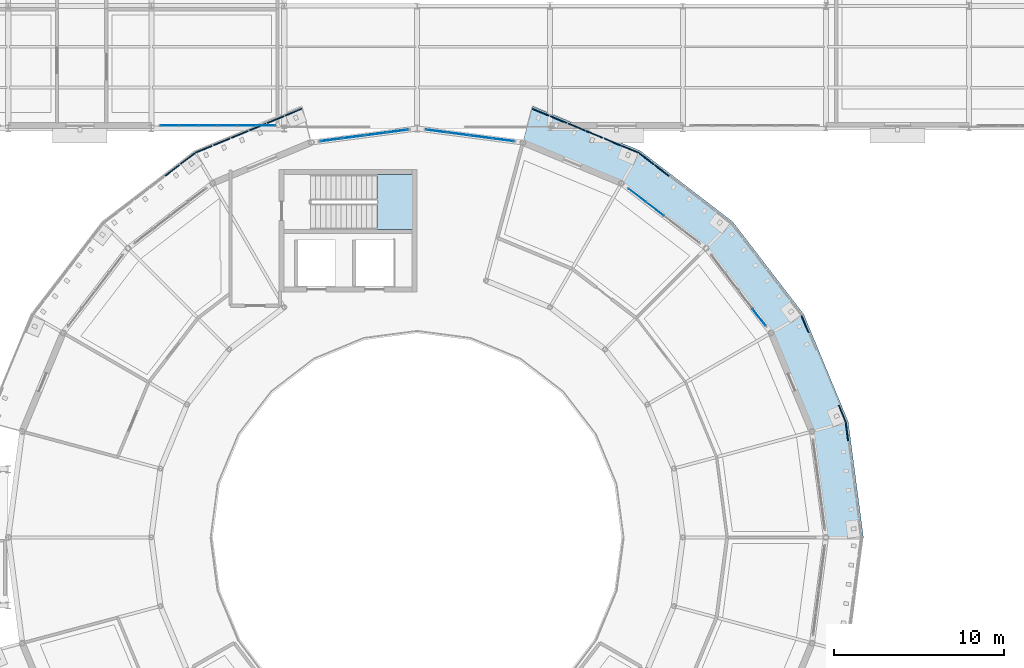
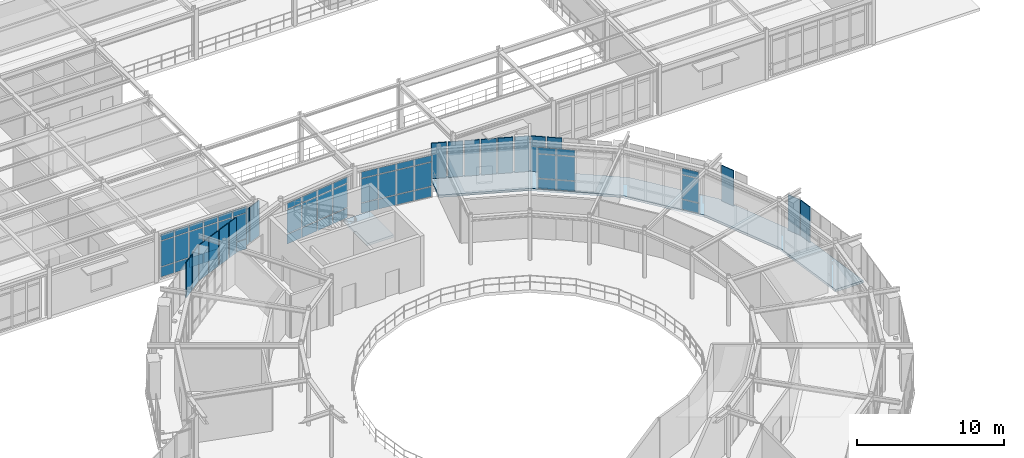
# One storey, part 64 of 90: 70 plates, 2 slabs, 6 elements without a shape of their own.
"""IFC4 building model written with IfcOpenShell, lengths in metres."""

import ifcopenshell
import ifcopenshell.guid

model = None  # the IFC model being written
_history = None  # IfcOwnerHistory: only IFC2X3 demands one
_inside = {}  # id of a spatial element -> (the spatial element, [elements in it])
_under = {}  # id of a project, library or spatial element -> (it, [spatial elements below it])
_declared = {}  # id of a project -> (the project, [libraries it declares])
_typed = {}  # id of a type object -> (the type object, [elements of that type])
_made_of = {}  # id of a material, layer set ... -> (it, [elements and type objects made of it])


def new_model(schema):
    """Start an empty IFC model of exactly this schema.

    Asked for "IFC4X3", IfcOpenShell would pick the latest addendum, in which some entities
    have other attributes; the version numbers below select the first issue.
    IFC2X3 requires an IfcOwnerHistory on every rooted entity: one is made here for all.
    """
    global model, _history
    if schema == "IFC4X3":
        model = ifcopenshell.file(schema_version=(4, 3, 0, 0))
    else:
        model = ifcopenshell.file(schema=schema)
    _inside.clear()
    _under.clear()
    _declared.clear()
    _typed.clear()
    _made_of.clear()
    _history = None
    if model.schema == "IFC2X3":
        org = make("IfcOrganization", Name="unknown")
        user = make(
            "IfcPersonAndOrganization",
            ThePerson=make("IfcPerson", FamilyName="unknown"),
            TheOrganization=org,
        )
        app = make(
            "IfcApplication",
            ApplicationDeveloper=org,
            Version="unknown",
            ApplicationFullName="unknown",
            ApplicationIdentifier="unknown",
        )
        _history = make(
            "IfcOwnerHistory",
            OwningUser=user,
            OwningApplication=app,
            ChangeAction="ADDED",
            CreationDate=0,
        )
    return model


def make(cls, **values):
    """One entity of the class cls with the attributes given. An attribute that is None is left unset."""
    return model.create_entity(
        cls, **{name: value for name, value in values.items() if value is not None}
    )


def rooted(cls, **values):
    """An entity with a GlobalId (a new one), such as an element, a storey or a relation."""
    return make(cls, GlobalId=ifcopenshell.guid.new(), OwnerHistory=_history, **values)


def si_unit(unit_type, name, prefix=None):
    """IfcSIUnit, for example si_unit("LENGTHUNIT", "METRE", prefix="MILLI")."""
    return make("IfcSIUnit", UnitType=unit_type, Prefix=prefix, Name=name)


def derived_unit(unit_type, elements):
    """IfcDerivedUnit: a product of units, each with its exponent."""
    return make(
        "IfcDerivedUnit",
        Elements=[
            make("IfcDerivedUnitElement", Unit=unit, Exponent=power)
            for unit, power in elements
        ],
        UnitType=unit_type,
    )


def assignment(units):
    """IfcUnitAssignment: the units of a project."""
    return None if units is None else make("IfcUnitAssignment", Units=units)


def point(xyz):
    """IfcCartesianPoint."""
    return None if xyz is None else make("IfcCartesianPoint", Coordinates=xyz)


def direction(xyz):
    """IfcDirection."""
    return None if xyz is None else make("IfcDirection", DirectionRatios=xyz)


def frame(location, z_axis=None, x_axis=None):
    """IfcAxis2Placement3D, a coordinate frame: its origin and axes. An axis left out is left unset."""
    return make(
        "IfcAxis2Placement3D",
        Location=point(location),
        Axis=direction(z_axis),
        RefDirection=direction(x_axis),
    )


def frame_2d(location, x_axis=None):
    """IfcAxis2Placement2D, a coordinate frame in the plane: its origin and x axis."""
    return make(
        "IfcAxis2Placement2D", Location=point(location), RefDirection=direction(x_axis)
    )


def origin():
    """The frame at (0, 0, 0) with its axes left unset."""
    return frame((0.0, 0.0, 0.0))


def origin_2d():
    """The frame at (0, 0) in the plane with its x axis left unset."""
    return frame_2d((0.0, 0.0))


def place(relative_to, where):
    """IfcLocalPlacement: puts the frame where relative to a parent placement (None: the world)."""
    return make(
        "IfcLocalPlacement", PlacementRelTo=relative_to, RelativePlacement=where
    )


def context(
    kind, dimensions, precision=None, world=None, true_north=None, identifier=None
):
    """IfcGeometricRepresentationContext, for example the 3D "Model" context."""
    return make(
        "IfcGeometricRepresentationContext",
        ContextIdentifier=identifier,
        ContextType=kind,
        CoordinateSpaceDimension=dimensions,
        Precision=precision,
        WorldCoordinateSystem=world,
        TrueNorth=true_north,
    )


def subcontext(parent, identifier, kind, view, scale=None):
    """IfcGeometricRepresentationSubContext, for example "Body" below "Model"."""
    return make(
        "IfcGeometricRepresentationSubContext",
        ContextIdentifier=identifier,
        ContextType=kind,
        ParentContext=parent,
        TargetScale=scale,
        TargetView=view,
    )


def project(units=None, contexts=None):
    """IfcProject with its units and contexts."""
    return rooted(
        "IfcProject",
        Name="project",
        RepresentationContexts=contexts,
        UnitsInContext=assignment(units),
    )


def spatial(cls, under=None, at=None, **own):
    """A site, building, storey or space (cls), placed at a placement, below another one or the project."""
    s = rooted(cls, ObjectPlacement=at, **own)
    if under is not None:
        _under.setdefault(under.id(), (under, []))[1].append(s)
    return s


def polyline(points):
    """IfcPolyline through the points."""
    return make("IfcPolyline", Points=[point(p) for p in points])


def profile(cls, at=None, kind="AREA", **sizes):
    """A parametric profile (cls). Its sizes go by their IFC names, for example OverallWidth=200.0."""
    return make(cls, ProfileType=kind, Position=at, **sizes)


def rectangle(**sizes):
    """IfcRectangleProfileDef."""
    return profile("IfcRectangleProfileDef", **sizes)


def outline(outer, holes=None, kind="AREA"):
    """IfcArbitraryClosedProfileDef: a profile drawn as a closed curve; with holes, ...WithVoids."""
    if holes is None:
        return make("IfcArbitraryClosedProfileDef", ProfileType=kind, OuterCurve=outer)
    return make(
        "IfcArbitraryProfileDefWithVoids",
        ProfileType=kind,
        OuterCurve=outer,
        InnerCurves=holes,
    )


def extrude(swept, where, along, depth):
    """IfcExtrudedAreaSolid: the profile swept, set in the frame where, extruded along a direction by depth."""
    return make(
        "IfcExtrudedAreaSolid",
        SweptArea=swept,
        Position=where,
        ExtrudedDirection=direction(along),
        Depth=depth,
    )


def shape(context_of_items, identifier, shape_type, items):
    """IfcShapeRepresentation: the items that make up one representation, for example the "Body"."""
    return make(
        "IfcShapeRepresentation",
        ContextOfItems=context_of_items,
        RepresentationIdentifier=identifier,
        RepresentationType=shape_type,
        Items=items,
    )


def material(Name=None, Category=None):
    """IfcMaterial."""
    return make("IfcMaterial", Name=Name, Category=Category)


def layer(
    of_material, thickness, ventilated=None, Name=None, Category=None, Priority=None
):
    """IfcMaterialLayer: one layer of a wall or slab, of a material (None: an air gap)."""
    return make(
        "IfcMaterialLayer",
        Material=of_material,
        LayerThickness=thickness,
        IsVentilated=ventilated,
        Name=Name,
        Category=Category,
        Priority=Priority,
    )


def layer_set(layers, Name=None):
    """IfcMaterialLayerSet."""
    return make("IfcMaterialLayerSet", MaterialLayers=layers, LayerSetName=Name)


def made_of(thing, what):
    """Note that an element or type object is made of a material, layer set ...; save() writes the relation."""
    if what is not None:
        _made_of.setdefault(what.id(), (what, []))[1].append(thing)
    return thing


def type_object(cls, material=None, **own):
    """A type object (cls), such as IfcWallType, which elements share."""
    return made_of(rooted(cls, **own), material)


def element(
    cls,
    number,
    at=None,
    inside=None,
    cuts=None,
    type_object=None,
    material=None,
    context=None,
    identifier="Body",
    shape_type=None,
    held_by="IfcProductDefinitionShape",
    body=None,
    shapes=None,
    **own,
):
    """One element of the class cls, such as IfcWall. Its Tag is "e" and its number.

    at: its placement. inside: the storey or other place that contains it. cuts: it is an
    opening in that element (IfcRelVoidsElement). A single representation is given by context,
    identifier, shape_type and body (its items); several are given by shapes. held_by: the class
    of the entity that holds the representations. save() writes the other relations.
    """
    e = rooted(cls, Tag="e%d" % number, ObjectPlacement=at, **own)
    if body is not None:
        shapes = [shape(context, identifier, shape_type, body)]
    if shapes is not None:
        e.Representation = make(held_by, Representations=shapes)
    if inside is not None:
        _inside.setdefault(inside.id(), (inside, []))[1].append(e)
    if cuts is not None:
        rooted(
            "IfcRelVoidsElement", RelatingBuildingElement=cuts, RelatedOpeningElement=e
        )
    if type_object is not None:
        _typed.setdefault(type_object.id(), (type_object, []))[1].append(e)
    return made_of(e, material)


def aggregate(whole, parts):
    """IfcRelAggregates: a whole, such as a stair, and the parts it consists of."""
    return rooted("IfcRelAggregates", RelatingObject=whole, RelatedObjects=parts)


def save(model, path):
    """Write the relations noted so far, then the file.

    IfcRelAggregates (storeys below a building ...), IfcRelContainedInSpatialStructure (elements
    in a storey), IfcRelDefinesByType, IfcRelAssociatesMaterial and IfcRelDeclares: one each for
    every whole, place, type object, material and project.
    """
    for whole, parts in _under.values():
        aggregate(whole, parts)
    for where, things in _inside.values():
        rooted(
            "IfcRelContainedInSpatialStructure",
            RelatedElements=things,
            RelatingStructure=where,
        )
    for kind, things in _typed.values():
        rooted("IfcRelDefinesByType", RelatedObjects=things, RelatingType=kind)
    for what, things in _made_of.values():
        rooted("IfcRelAssociatesMaterial", RelatedObjects=things, RelatingMaterial=what)
    for by, libraries in _declared.values():
        rooted("IfcRelDeclares", RelatingContext=by, RelatedDefinitions=libraries)
    model.write(path)


model = new_model("IFC4")

# Units and contexts
model_context = context("Model", 3, precision=1e-05, world=origin(), true_north=direction((0.0, 1.0)))
body_context = subcontext(model_context, "Body", "Model", "MODEL_VIEW")
ifc_project = project(units=[si_unit("LENGTHUNIT", "METRE"), si_unit("AREAUNIT", "SQUARE_METRE"), si_unit("VOLUMEUNIT", "CUBIC_METRE"), si_unit("PLANEANGLEUNIT", "RADIAN"), si_unit("MASSUNIT", "GRAM", prefix="KILO"), derived_unit("THERMALTRANSMITTANCEUNIT", [(si_unit("POWERUNIT", "WATT"), 1), (si_unit("AREAUNIT", "SQUARE_METRE"), -1), (si_unit("THERMODYNAMICTEMPERATUREUNIT", "KELVIN"), -1)])], contexts=[model_context])

# Site, building, storey
site_placement = place(None, origin())
site = spatial("IfcSite", under=ifc_project, at=site_placement, CompositionType="ELEMENT")
building_placement = place(site_placement, origin())
building = spatial("IfcBuilding", under=site, at=building_placement, Name="Yasenodar Specialist Clinic", CompositionType="ELEMENT")
storey_placement = place(building_placement, frame((0.0, 0.0, 9.0)))
storey = spatial("IfcBuildingStorey", under=building, at=storey_placement, Name="L02", CompositionType="ELEMENT", Elevation=9.0)

# Curtain wall, plates
ifc_material_1 = material(Name="Bronze Anodized Aluminium and Triple Low-E Glass", Category="aluminium")
ifc_layer_1 = layer(ifc_material_1, 0.1669921875)
ifc_layer_set_1 = layer_set([ifc_layer_1], Name="Bronze Anodized Aluminium and Triple Low-E Glass")
curtain_wall_type_1 = type_object("IfcCurtainWallType", Name="CW-SYS-01", PredefinedType="USERDEFINED", material=ifc_layer_set_1)
curtain_wall_1_placement = place(storey_placement, origin())
curtain_wall_1 = element("IfcCurtainWall", 1, at=curtain_wall_1_placement, inside=storey, type_object=curtain_wall_type_1, Name="L02 Unitised Curtain Wall 028", ObjectType="UNITISED CURTAIN WALL", PredefinedType="USERDEFINED")
ifc_material_2 = material(Name="Triple Low-E Argon Glazing", Category="glass")
ifc_layer_2 = layer(ifc_material_2, 0.028076171875)
ifc_layer_set_2 = layer_set([ifc_layer_2], Name="Triple Low-E Argon Glazing")
plate_type_1 = type_object("IfcPlateType", Name="CW-PAN-1", PredefinedType="CURTAIN_PANEL", material=ifc_layer_set_2)
plate_1_placement = place(storey_placement, frame((93.9189453125, 78.879638671875, 0.06005859375), z_axis=(0.0, 0.0, 1.0), x_axis=(0.793360558574, -0.608752021844, 0.0)))
plate_1 = element("IfcPlate", 2, at=plate_1_placement, type_object=plate_type_1, Name="CW-01 panel 1.1", PredefinedType="CURTAIN_PANEL", context=body_context, shape_type="SweptSolid", body=[
    extrude(rectangle(XDim=1.236328125, YDim=0.028076171875, at=origin_2d()), origin(), (0.0, 0.0, 1.0), 0.81005859375),
])
plate_2_placement = place(storey_placement, frame((93.9189453125, 78.879638671875, 0.929931640625), z_axis=(0.0, 0.0, 1.0), x_axis=(0.793360558574, -0.608752021844, 0.0)))
plate_2 = element("IfcPlate", 3, at=plate_2_placement, type_object=plate_type_1, Name="CW-01 panel 1.2", PredefinedType="CURTAIN_PANEL", context=body_context, shape_type="SweptSolid", body=[
    extrude(rectangle(XDim=1.236328125, YDim=0.028076171875, at=origin_2d()), origin(), (0.0, 0.0, 1.0), 1.97802734375),
])
plate_3_placement = place(storey_placement, frame((93.9189453125, 78.879638671875, 2.9677734375), z_axis=(0.0, 0.0, 1.0), x_axis=(0.793360558574, -0.608752021844, 0.0)))
plate_3 = element("IfcPlate", 4, at=plate_3_placement, type_object=plate_type_1, Name="CW-01 panel 1.3", PredefinedType="CURTAIN_PANEL", context=body_context, shape_type="SweptSolid", body=[
    extrude(rectangle(XDim=1.236328125, YDim=0.028076171875, at=origin_2d()), origin(), (0.0, 0.0, 1.0), 0.510009765625),
])
plate_4_placement = place(storey_placement, frame((94.959228515625, 78.081298828125, 0.06005859375), z_axis=(0.0, 0.0, 1.0), x_axis=(0.793360558574, -0.608752021844, 0.0)))
plate_4 = element("IfcPlate", 5, at=plate_4_placement, type_object=plate_type_1, Name="CW-01 panel 2.1", PredefinedType="CURTAIN_PANEL", context=body_context, shape_type="SweptSolid", body=[
    extrude(rectangle(XDim=1.266357421875, YDim=0.028076171875, at=origin_2d()), origin(), (0.0, 0.0, 1.0), 0.81005859375),
])
plate_5_placement = place(storey_placement, frame((94.959228515625, 78.081298828125, 0.929931640625), z_axis=(0.0, 0.0, 1.0), x_axis=(0.793360558574, -0.608752021844, 0.0)))
plate_5 = element("IfcPlate", 6, at=plate_5_placement, type_object=plate_type_1, Name="CW-01 panel 2.2", PredefinedType="CURTAIN_PANEL", context=body_context, shape_type="SweptSolid", body=[
    extrude(rectangle(XDim=1.266357421875, YDim=0.028076171875, at=origin_2d()), origin(), (0.0, 0.0, 1.0), 1.97802734375),
])
plate_6_placement = place(storey_placement, frame((94.959228515625, 78.081298828125, 2.9677734375), z_axis=(0.0, 0.0, 1.0), x_axis=(0.793360558574, -0.608752021844, 0.0)))
plate_6 = element("IfcPlate", 7, at=plate_6_placement, type_object=plate_type_1, Name="CW-01 panel 2.3", PredefinedType="CURTAIN_PANEL", context=body_context, shape_type="SweptSolid", body=[
    extrude(rectangle(XDim=1.266357421875, YDim=0.028076171875, at=origin_2d()), origin(), (0.0, 0.0, 1.0), 0.510009765625),
])
aggregate(curtain_wall_1, [plate_1, plate_2, plate_3, plate_4, plate_5, plate_6])

ifc_layer_3 = layer(ifc_material_1, 0.215087890625)
ifc_layer_set_3 = layer_set([ifc_layer_3], Name="Bronze Anodized Aluminium and Triple Low-E Glass")
curtain_wall_type_2 = type_object("IfcCurtainWallType", Name="CW-SYS-05", PredefinedType="USERDEFINED", material=ifc_layer_set_3)
curtain_wall_2_placement = place(storey_placement, origin())
curtain_wall_2 = element("IfcCurtainWall", 8, at=curtain_wall_2_placement, inside=storey, type_object=curtain_wall_type_2, Name="L02 Unitised Curtain Wall 156", ObjectType="UNITISED CURTAIN WALL", PredefinedType="USERDEFINED")
plate_7_placement = place(storey_placement, frame((72.135009765625, 82.969970703125, 0.06005859375), z_axis=(0.0, 0.0, 1.0), x_axis=(-1.0, 0.0, 0.0)))
plate_7 = element("IfcPlate", 9, at=plate_7_placement, type_object=plate_type_1, Name="CW-05 panel 1.1", PredefinedType="CURTAIN_PANEL", context=body_context, shape_type="SweptSolid", body=[
    extrude(rectangle(XDim=1.050048828125, YDim=0.028076171875, at=origin_2d()), origin(), (0.0, 0.0, 1.0), 0.81005859375),
])
plate_8_placement = place(storey_placement, frame((72.135009765625, 82.969970703125, 0.93017578125), z_axis=(0.0, 0.0, 1.0), x_axis=(-1.0, 0.0, 0.0)))
plate_8 = element("IfcPlate", 10, at=plate_8_placement, type_object=plate_type_1, Name="CW-05 panel 1.2", PredefinedType="CURTAIN_PANEL", context=body_context, shape_type="SweptSolid", body=[
    extrude(rectangle(XDim=1.050048828125, YDim=0.028076171875, at=origin_2d()), origin(), (0.0, 0.0, 1.0), 2.097900390625),
])
plate_9_placement = place(storey_placement, frame((72.135009765625, 82.969970703125, 3.087890625), z_axis=(0.0, 0.0, 1.0), x_axis=(-1.0, 0.0, 0.0)))
plate_9 = element("IfcPlate", 11, at=plate_9_placement, type_object=plate_type_1, Name="CW-05 panel 1.3", PredefinedType="CURTAIN_PANEL", context=body_context, shape_type="SweptSolid", body=[
    extrude(rectangle(XDim=1.050048828125, YDim=0.028076171875, at=origin_2d()), origin(), (0.0, 0.0, 1.0), 0.510009765625),
])
plate_10_placement = place(storey_placement, frame((71.010009765625, 82.969970703125, 0.06005859375), z_axis=(0.0, 0.0, 1.0), x_axis=(-1.0, 0.0, 0.0)))
plate_10 = element("IfcPlate", 12, at=plate_10_placement, type_object=plate_type_1, Name="CW-05 panel 2.1", PredefinedType="CURTAIN_PANEL", context=body_context, shape_type="SweptSolid", body=[
    extrude(rectangle(XDim=1.080078125, YDim=0.028076171875, at=origin_2d()), origin(), (0.0, 0.0, 1.0), 0.81005859375),
])
plate_11_placement = place(storey_placement, frame((71.010009765625, 82.969970703125, 0.93017578125), z_axis=(0.0, 0.0, 1.0), x_axis=(-1.0, 0.0, 0.0)))
plate_11 = element("IfcPlate", 13, at=plate_11_placement, type_object=plate_type_1, Name="CW-05 panel 2.2", PredefinedType="CURTAIN_PANEL", context=body_context, shape_type="SweptSolid", body=[
    extrude(rectangle(XDim=1.080078125, YDim=0.028076171875, at=origin_2d()), origin(), (0.0, 0.0, 1.0), 2.097900390625),
])
plate_12_placement = place(storey_placement, frame((71.010009765625, 82.969970703125, 3.087890625), z_axis=(0.0, 0.0, 1.0), x_axis=(-1.0, 0.0, 0.0)))
plate_12 = element("IfcPlate", 14, at=plate_12_placement, type_object=plate_type_1, Name="CW-05 panel 2.3", PredefinedType="CURTAIN_PANEL", context=body_context, shape_type="SweptSolid", body=[
    extrude(rectangle(XDim=1.080078125, YDim=0.028076171875, at=origin_2d()), origin(), (0.0, 0.0, 1.0), 0.510009765625),
])
plate_13_placement = place(storey_placement, frame((69.8701171875, 82.969970703125, 0.06005859375), z_axis=(0.0, 0.0, 1.0), x_axis=(-1.0, 0.0, 0.0)))
plate_13 = element("IfcPlate", 15, at=plate_13_placement, type_object=plate_type_1, Name="CW-05 panel 3.1", PredefinedType="CURTAIN_PANEL", context=body_context, shape_type="SweptSolid", body=[
    extrude(rectangle(XDim=1.080078125, YDim=0.028076171875, at=origin_2d()), origin(), (0.0, 0.0, 1.0), 0.81005859375),
])
plate_14_placement = place(storey_placement, frame((69.8701171875, 82.969970703125, 0.93017578125), z_axis=(0.0, 0.0, 1.0), x_axis=(-1.0, 0.0, 0.0)))
plate_14 = element("IfcPlate", 16, at=plate_14_placement, type_object=plate_type_1, Name="CW-05 panel 3.2", PredefinedType="CURTAIN_PANEL", context=body_context, shape_type="SweptSolid", body=[
    extrude(rectangle(XDim=1.080078125, YDim=0.028076171875, at=origin_2d()), origin(), (0.0, 0.0, 1.0), 2.097900390625),
])
plate_15_placement = place(storey_placement, frame((69.8701171875, 82.969970703125, 3.087890625), z_axis=(0.0, 0.0, 1.0), x_axis=(-1.0, 0.0, 0.0)))
plate_15 = element("IfcPlate", 17, at=plate_15_placement, type_object=plate_type_1, Name="CW-05 panel 3.3", PredefinedType="CURTAIN_PANEL", context=body_context, shape_type="SweptSolid", body=[
    extrude(rectangle(XDim=1.080078125, YDim=0.028076171875, at=origin_2d()), origin(), (0.0, 0.0, 1.0), 0.510009765625),
])
plate_16_placement = place(storey_placement, frame((68.72998046875, 82.969970703125, 0.06005859375), z_axis=(0.0, 0.0, 1.0), x_axis=(-1.0, 0.0, 0.0)))
plate_16 = element("IfcPlate", 18, at=plate_16_placement, type_object=plate_type_1, Name="CW-05 panel 4.1", PredefinedType="CURTAIN_PANEL", context=body_context, shape_type="SweptSolid", body=[
    extrude(rectangle(XDim=1.080078125, YDim=0.028076171875, at=origin_2d()), origin(), (0.0, 0.0, 1.0), 0.81005859375),
])
plate_17_placement = place(storey_placement, frame((68.72998046875, 82.969970703125, 0.93017578125), z_axis=(0.0, 0.0, 1.0), x_axis=(-1.0, 0.0, 0.0)))
plate_17 = element("IfcPlate", 19, at=plate_17_placement, type_object=plate_type_1, Name="CW-05 panel 4.2", PredefinedType="CURTAIN_PANEL", context=body_context, shape_type="SweptSolid", body=[
    extrude(rectangle(XDim=1.080078125, YDim=0.028076171875, at=origin_2d()), origin(), (0.0, 0.0, 1.0), 2.097900390625),
])
plate_18_placement = place(storey_placement, frame((68.72998046875, 82.969970703125, 3.087890625), z_axis=(0.0, 0.0, 1.0), x_axis=(-1.0, 0.0, 0.0)))
plate_18 = element("IfcPlate", 20, at=plate_18_placement, type_object=plate_type_1, Name="CW-05 panel 4.3", PredefinedType="CURTAIN_PANEL", context=body_context, shape_type="SweptSolid", body=[
    extrude(rectangle(XDim=1.080078125, YDim=0.028076171875, at=origin_2d()), origin(), (0.0, 0.0, 1.0), 0.510009765625),
])
plate_19_placement = place(storey_placement, frame((67.590087890625, 82.969970703125, 0.06005859375), z_axis=(0.0, 0.0, 1.0), x_axis=(-1.0, 0.0, 0.0)))
plate_19 = element("IfcPlate", 21, at=plate_19_placement, type_object=plate_type_1, Name="CW-05 panel 5.1", PredefinedType="CURTAIN_PANEL", context=body_context, shape_type="SweptSolid", body=[
    extrude(rectangle(XDim=1.080078125, YDim=0.028076171875, at=origin_2d()), origin(), (0.0, 0.0, 1.0), 0.81005859375),
])
plate_20_placement = place(storey_placement, frame((67.590087890625, 82.969970703125, 0.93017578125), z_axis=(0.0, 0.0, 1.0), x_axis=(-1.0, 0.0, 0.0)))
plate_20 = element("IfcPlate", 22, at=plate_20_placement, type_object=plate_type_1, Name="CW-05 panel 5.2", PredefinedType="CURTAIN_PANEL", context=body_context, shape_type="SweptSolid", body=[
    extrude(rectangle(XDim=1.080078125, YDim=0.028076171875, at=origin_2d()), origin(), (0.0, 0.0, 1.0), 2.097900390625),
])
plate_21_placement = place(storey_placement, frame((67.590087890625, 82.969970703125, 3.087890625), z_axis=(0.0, 0.0, 1.0), x_axis=(-1.0, 0.0, 0.0)))
plate_21 = element("IfcPlate", 23, at=plate_21_placement, type_object=plate_type_1, Name="CW-05 panel 5.3", PredefinedType="CURTAIN_PANEL", context=body_context, shape_type="SweptSolid", body=[
    extrude(rectangle(XDim=1.080078125, YDim=0.028076171875, at=origin_2d()), origin(), (0.0, 0.0, 1.0), 0.510009765625),
])
plate_22_placement = place(storey_placement, frame((66.465087890625, 82.969970703125, 0.06005859375), z_axis=(0.0, 0.0, 1.0), x_axis=(-1.0, 0.0, 0.0)))
plate_22 = element("IfcPlate", 24, at=plate_22_placement, type_object=plate_type_1, Name="CW-05 panel 6.1", PredefinedType="CURTAIN_PANEL", context=body_context, shape_type="SweptSolid", body=[
    extrude(rectangle(XDim=1.050048828125, YDim=0.028076171875, at=origin_2d()), origin(), (0.0, 0.0, 1.0), 0.81005859375),
])
plate_23_placement = place(storey_placement, frame((66.465087890625, 82.969970703125, 0.93017578125), z_axis=(0.0, 0.0, 1.0), x_axis=(-1.0, 0.0, 0.0)))
plate_23 = element("IfcPlate", 25, at=plate_23_placement, type_object=plate_type_1, Name="CW-05 panel 6.2", PredefinedType="CURTAIN_PANEL", context=body_context, shape_type="SweptSolid", body=[
    extrude(rectangle(XDim=1.050048828125, YDim=0.028076171875, at=origin_2d()), origin(), (0.0, 0.0, 1.0), 2.097900390625),
])
plate_24_placement = place(storey_placement, frame((66.465087890625, 82.969970703125, 3.087890625), z_axis=(0.0, 0.0, 1.0), x_axis=(-1.0, 0.0, 0.0)))
plate_24 = element("IfcPlate", 26, at=plate_24_placement, type_object=plate_type_1, Name="CW-05 panel 6.3", PredefinedType="CURTAIN_PANEL", context=body_context, shape_type="SweptSolid", body=[
    extrude(rectangle(XDim=1.050048828125, YDim=0.028076171875, at=origin_2d()), origin(), (0.0, 0.0, 1.0), 0.510009765625),
])
aggregate(curtain_wall_2, [plate_7, plate_8, plate_9, plate_10, plate_11, plate_12, plate_13, plate_14, plate_15, plate_16, plate_17, plate_18, plate_19, plate_20, plate_21, plate_22, plate_23, plate_24])

curtain_wall_3_placement = place(storey_placement, origin())
curtain_wall_3 = element("IfcCurtainWall", 27, at=curtain_wall_3_placement, inside=storey, type_object=curtain_wall_type_1, Name="L02 Unitised Curtain Wall 029", ObjectType="UNITISED CURTAIN WALL", PredefinedType="USERDEFINED")
ifc_layer_4 = layer(ifc_material_2, 0.033935546875)
ifc_layer_set_4 = layer_set([ifc_layer_4], Name="Triple Low-E Argon Glazing")
plate_type_2 = type_object("IfcPlateType", Name="CW-PAN-2", PredefinedType="CURTAIN_PANEL", material=ifc_layer_set_4)
plate_25_placement = place(storey_placement, frame((82.148193359375, 82.648681640625, 0.06005859375), z_axis=(0.0, 0.0, 1.0), x_axis=(0.991446787601, -0.13051156024, 0.0)))
plate_25 = element("IfcPlate", 28, at=plate_25_placement, type_object=plate_type_2, Name="CW-01 panel 1.1", PredefinedType="CURTAIN_PANEL", context=body_context, shape_type="SweptSolid", body=[
    extrude(rectangle(XDim=1.236328125, YDim=0.033935546875, at=origin_2d()), origin(), (0.0, 0.0, 1.0), 0.81005859375),
])
plate_26_placement = place(storey_placement, frame((82.148193359375, 82.648681640625, 0.929931640625), z_axis=(0.0, 0.0, 1.0), x_axis=(0.991446787601, -0.13051156024, 0.0)))
plate_26 = element("IfcPlate", 29, at=plate_26_placement, type_object=plate_type_2, Name="CW-01 panel 1.2", PredefinedType="CURTAIN_PANEL", context=body_context, shape_type="SweptSolid", body=[
    extrude(rectangle(XDim=1.236328125, YDim=0.033935546875, at=origin_2d()), origin(), (0.0, 0.0, 1.0), 1.97802734375),
])
plate_27_placement = place(storey_placement, frame((82.148193359375, 82.648681640625, 2.9677734375), z_axis=(0.0, 0.0, 1.0), x_axis=(0.991446787601, -0.13051156024, 0.0)))
plate_27 = element("IfcPlate", 30, at=plate_27_placement, type_object=plate_type_2, Name="CW-01 panel 1.3", PredefinedType="CURTAIN_PANEL", context=body_context, shape_type="SweptSolid", body=[
    extrude(rectangle(XDim=1.236328125, YDim=0.033935546875, at=origin_2d()), origin(), (0.0, 0.0, 1.0), 0.510009765625),
])
plate_28_placement = place(storey_placement, frame((83.4482421875, 82.4775390625, 0.06005859375), z_axis=(0.0, 0.0, 1.0), x_axis=(0.991446787601, -0.13051156024, 0.0)))
plate_28 = element("IfcPlate", 31, at=plate_28_placement, type_object=plate_type_2, Name="CW-01 panel 2.1", PredefinedType="CURTAIN_PANEL", context=body_context, shape_type="SweptSolid", body=[
    extrude(rectangle(XDim=1.266357421875, YDim=0.033935546875, at=origin_2d()), origin(), (0.0, 0.0, 1.0), 0.81005859375),
])
plate_29_placement = place(storey_placement, frame((83.4482421875, 82.4775390625, 0.929931640625), z_axis=(0.0, 0.0, 1.0), x_axis=(0.991446787601, -0.13051156024, 0.0)))
plate_29 = element("IfcPlate", 32, at=plate_29_placement, type_object=plate_type_2, Name="CW-01 panel 2.2", PredefinedType="CURTAIN_PANEL", context=body_context, shape_type="SweptSolid", body=[
    extrude(rectangle(XDim=1.266357421875, YDim=0.033935546875, at=origin_2d()), origin(), (0.0, 0.0, 1.0), 1.97802734375),
])
plate_30_placement = place(storey_placement, frame((83.4482421875, 82.4775390625, 2.9677734375), z_axis=(0.0, 0.0, 1.0), x_axis=(0.991446787601, -0.13051156024, 0.0)))
plate_30 = element("IfcPlate", 33, at=plate_30_placement, type_object=plate_type_2, Name="CW-01 panel 2.3", PredefinedType="CURTAIN_PANEL", context=body_context, shape_type="SweptSolid", body=[
    extrude(rectangle(XDim=1.266357421875, YDim=0.033935546875, at=origin_2d()), origin(), (0.0, 0.0, 1.0), 0.510009765625),
])
plate_31_placement = place(storey_placement, frame((84.763427734375, 82.304443359375, 0.06005859375), z_axis=(0.0, 0.0, 1.0), x_axis=(0.991446787601, -0.13051156024, 0.0)))
plate_31 = element("IfcPlate", 34, at=plate_31_placement, type_object=plate_type_2, Name="CW-01 panel 3.1", PredefinedType="CURTAIN_PANEL", context=body_context, shape_type="SweptSolid", body=[
    extrude(rectangle(XDim=1.266357421875, YDim=0.033935546875, at=origin_2d()), origin(), (0.0, 0.0, 1.0), 0.81005859375),
])
plate_32_placement = place(storey_placement, frame((84.763427734375, 82.304443359375, 0.929931640625), z_axis=(0.0, 0.0, 1.0), x_axis=(0.991446787601, -0.13051156024, 0.0)))
plate_32 = element("IfcPlate", 35, at=plate_32_placement, type_object=plate_type_2, Name="CW-01 panel 3.2", PredefinedType="CURTAIN_PANEL", context=body_context, shape_type="SweptSolid", body=[
    extrude(rectangle(XDim=1.266357421875, YDim=0.033935546875, at=origin_2d()), origin(), (0.0, 0.0, 1.0), 1.97802734375),
])
plate_33_placement = place(storey_placement, frame((84.763427734375, 82.304443359375, 2.9677734375), z_axis=(0.0, 0.0, 1.0), x_axis=(0.991446787601, -0.13051156024, 0.0)))
plate_33 = element("IfcPlate", 36, at=plate_33_placement, type_object=plate_type_2, Name="CW-01 panel 3.3", PredefinedType="CURTAIN_PANEL", context=body_context, shape_type="SweptSolid", body=[
    extrude(rectangle(XDim=1.266357421875, YDim=0.033935546875, at=origin_2d()), origin(), (0.0, 0.0, 1.0), 0.510009765625),
])
plate_34_placement = place(storey_placement, frame((86.0634765625, 82.13330078125, 0.06005859375), z_axis=(0.0, 0.0, 1.0), x_axis=(0.991446787601, -0.13051156024, 0.0)))
plate_34 = element("IfcPlate", 37, at=plate_34_placement, type_object=plate_type_2, Name="CW-01 panel 4.1", PredefinedType="CURTAIN_PANEL", context=body_context, shape_type="SweptSolid", body=[
    extrude(rectangle(XDim=1.236328125, YDim=0.033935546875, at=origin_2d()), origin(), (0.0, 0.0, 1.0), 0.81005859375),
])
plate_35_placement = place(storey_placement, frame((86.0634765625, 82.13330078125, 0.929931640625), z_axis=(0.0, 0.0, 1.0), x_axis=(0.991446787601, -0.13051156024, 0.0)))
plate_35 = element("IfcPlate", 38, at=plate_35_placement, type_object=plate_type_2, Name="CW-01 panel 4.2", PredefinedType="CURTAIN_PANEL", context=body_context, shape_type="SweptSolid", body=[
    extrude(rectangle(XDim=1.236328125, YDim=0.033935546875, at=origin_2d()), origin(), (0.0, 0.0, 1.0), 1.97802734375),
])
plate_36_placement = place(storey_placement, frame((86.0634765625, 82.13330078125, 2.9677734375), z_axis=(0.0, 0.0, 1.0), x_axis=(0.991446787601, -0.13051156024, 0.0)))
plate_36 = element("IfcPlate", 39, at=plate_36_placement, type_object=plate_type_2, Name="CW-01 panel 4.3", PredefinedType="CURTAIN_PANEL", context=body_context, shape_type="SweptSolid", body=[
    extrude(rectangle(XDim=1.236328125, YDim=0.033935546875, at=origin_2d()), origin(), (0.0, 0.0, 1.0), 0.510009765625),
])
aggregate(curtain_wall_3, [plate_25, plate_26, plate_27, plate_28, plate_29, plate_30, plate_31, plate_32, plate_33, plate_34, plate_35, plate_36])

curtain_wall_4_placement = place(storey_placement, origin())
curtain_wall_4 = element("IfcCurtainWall", 40, at=curtain_wall_4_placement, inside=storey, type_object=curtain_wall_type_1, Name="L02 Unitised Curtain Wall 030", ObjectType="UNITISED CURTAIN WALL", PredefinedType="USERDEFINED")
ifc_layer_5 = layer(ifc_material_2, 0.0400390625)
ifc_layer_set_5 = layer_set([ifc_layer_5], Name="Triple Low-E Argon Glazing")
plate_type_3 = type_object("IfcPlateType", Name="CW-PAN-3", PredefinedType="CURTAIN_PANEL", material=ifc_layer_set_5)
plate_37_placement = place(storey_placement, frame((75.940185546875, 82.1337890625, 0.074951171875), z_axis=(0.0, 0.0, 1.0), x_axis=(0.991446787601, 0.13051156024, 0.0)))
plate_37 = element("IfcPlate", 41, at=plate_37_placement, type_object=plate_type_3, Name="CW-01 panel 1.1", PredefinedType="CURTAIN_PANEL", context=body_context, shape_type="SweptSolid", body=[
    extrude(rectangle(XDim=1.2138671875, YDim=0.0400390625, at=origin_2d()), origin(), (0.0, 0.0, 1.0), 0.78759765625),
])
plate_38_placement = place(storey_placement, frame((75.940185546875, 82.1337890625, 0.9375), z_axis=(0.0, 0.0, 1.0), x_axis=(0.991446787601, 0.13051156024, 0.0)))
plate_38 = element("IfcPlate", 42, at=plate_38_placement, type_object=plate_type_3, Name="CW-01 panel 1.2", PredefinedType="CURTAIN_PANEL", context=body_context, shape_type="SweptSolid", body=[
    extrude(rectangle(XDim=1.2138671875, YDim=0.0400390625, at=origin_2d()), origin(), (0.0, 0.0, 1.0), 1.962890625),
])
plate_39_placement = place(storey_placement, frame((75.940185546875, 82.1337890625, 2.9755859375), z_axis=(0.0, 0.0, 1.0), x_axis=(0.991446787601, 0.13051156024, 0.0)))
plate_39 = element("IfcPlate", 43, at=plate_39_placement, type_object=plate_type_3, Name="CW-01 panel 1.3", PredefinedType="CURTAIN_PANEL", context=body_context, shape_type="SweptSolid", body=[
    extrude(rectangle(XDim=1.2138671875, YDim=0.0400390625, at=origin_2d()), origin(), (0.0, 0.0, 1.0), 0.487548828125),
])
plate_40_placement = place(storey_placement, frame((77.236572265625, 82.304443359375, 0.074951171875), z_axis=(0.0, 0.0, 1.0), x_axis=(0.991446787601, 0.13051156024, 0.0)))
plate_40 = element("IfcPlate", 44, at=plate_40_placement, type_object=plate_type_3, Name="CW-01 panel 2.1", PredefinedType="CURTAIN_PANEL", context=body_context, shape_type="SweptSolid", body=[
    extrude(rectangle(XDim=1.251220703125, YDim=0.0400390625, at=origin_2d()), origin(), (0.0, 0.0, 1.0), 0.78759765625),
])
plate_41_placement = place(storey_placement, frame((77.236572265625, 82.304443359375, 0.9375), z_axis=(0.0, 0.0, 1.0), x_axis=(0.991446787601, 0.13051156024, 0.0)))
plate_41 = element("IfcPlate", 45, at=plate_41_placement, type_object=plate_type_3, Name="CW-01 panel 2.2", PredefinedType="CURTAIN_PANEL", context=body_context, shape_type="SweptSolid", body=[
    extrude(rectangle(XDim=1.251220703125, YDim=0.0400390625, at=origin_2d()), origin(), (0.0, 0.0, 1.0), 1.962890625),
])
plate_42_placement = place(storey_placement, frame((77.236572265625, 82.304443359375, 2.9755859375), z_axis=(0.0, 0.0, 1.0), x_axis=(0.991446787601, 0.13051156024, 0.0)))
plate_42 = element("IfcPlate", 46, at=plate_42_placement, type_object=plate_type_3, Name="CW-01 panel 2.3", PredefinedType="CURTAIN_PANEL", context=body_context, shape_type="SweptSolid", body=[
    extrude(rectangle(XDim=1.251220703125, YDim=0.0400390625, at=origin_2d()), origin(), (0.0, 0.0, 1.0), 0.487548828125),
])
plate_43_placement = place(storey_placement, frame((78.5517578125, 82.4775390625, 0.074951171875), z_axis=(0.0, 0.0, 1.0), x_axis=(0.991446787601, 0.13051156024, 0.0)))
plate_43 = element("IfcPlate", 47, at=plate_43_placement, type_object=plate_type_3, Name="CW-01 panel 3.1", PredefinedType="CURTAIN_PANEL", context=body_context, shape_type="SweptSolid", body=[
    extrude(rectangle(XDim=1.251220703125, YDim=0.0400390625, at=origin_2d()), origin(), (0.0, 0.0, 1.0), 0.78759765625),
])
plate_44_placement = place(storey_placement, frame((78.5517578125, 82.4775390625, 0.9375), z_axis=(0.0, 0.0, 1.0), x_axis=(0.991446787601, 0.13051156024, 0.0)))
plate_44 = element("IfcPlate", 48, at=plate_44_placement, type_object=plate_type_3, Name="CW-01 panel 3.2", PredefinedType="CURTAIN_PANEL", context=body_context, shape_type="SweptSolid", body=[
    extrude(rectangle(XDim=1.251220703125, YDim=0.0400390625, at=origin_2d()), origin(), (0.0, 0.0, 1.0), 1.962890625),
])
plate_45_placement = place(storey_placement, frame((78.5517578125, 82.4775390625, 2.9755859375), z_axis=(0.0, 0.0, 1.0), x_axis=(0.991446787601, 0.13051156024, 0.0)))
plate_45 = element("IfcPlate", 49, at=plate_45_placement, type_object=plate_type_3, Name="CW-01 panel 3.3", PredefinedType="CURTAIN_PANEL", context=body_context, shape_type="SweptSolid", body=[
    extrude(rectangle(XDim=1.251220703125, YDim=0.0400390625, at=origin_2d()), origin(), (0.0, 0.0, 1.0), 0.487548828125),
])
plate_46_placement = place(storey_placement, frame((79.84814453125, 82.648193359375, 0.074951171875), z_axis=(0.0, 0.0, 1.0), x_axis=(0.991446787601, 0.13051156024, 0.0)))
plate_46 = element("IfcPlate", 50, at=plate_46_placement, type_object=plate_type_3, Name="CW-01 panel 4.1", PredefinedType="CURTAIN_PANEL", context=body_context, shape_type="SweptSolid", body=[
    extrude(rectangle(XDim=1.2138671875, YDim=0.0400390625, at=origin_2d()), origin(), (0.0, 0.0, 1.0), 0.78759765625),
])
plate_47_placement = place(storey_placement, frame((79.84814453125, 82.648193359375, 0.9375), z_axis=(0.0, 0.0, 1.0), x_axis=(0.991446787601, 0.13051156024, 0.0)))
plate_47 = element("IfcPlate", 51, at=plate_47_placement, type_object=plate_type_3, Name="CW-01 panel 4.2", PredefinedType="CURTAIN_PANEL", context=body_context, shape_type="SweptSolid", body=[
    extrude(rectangle(XDim=1.2138671875, YDim=0.0400390625, at=origin_2d()), origin(), (0.0, 0.0, 1.0), 1.962890625),
])
plate_48_placement = place(storey_placement, frame((79.84814453125, 82.648193359375, 2.9755859375), z_axis=(0.0, 0.0, 1.0), x_axis=(0.991446787601, 0.13051156024, 0.0)))
plate_48 = element("IfcPlate", 52, at=plate_48_placement, type_object=plate_type_3, Name="CW-01 panel 4.3", PredefinedType="CURTAIN_PANEL", context=body_context, shape_type="SweptSolid", body=[
    extrude(rectangle(XDim=1.2138671875, YDim=0.0400390625, at=origin_2d()), origin(), (0.0, 0.0, 1.0), 0.487548828125),
])
aggregate(curtain_wall_4, [plate_37, plate_38, plate_39, plate_40, plate_41, plate_42, plate_43, plate_44, plate_45, plate_46, plate_47, plate_48])

curtain_wall_5_placement = place(storey_placement, origin())
curtain_wall_5 = element("IfcCurtainWall", 53, at=curtain_wall_5_placement, inside=storey, type_object=curtain_wall_type_1, Name="L02 Unitised Curtain Wall 027", ObjectType="UNITISED CURTAIN WALL", PredefinedType="USERDEFINED")
ifc_layer_6 = layer(ifc_material_2, 0.0458984375)
ifc_layer_set_6 = layer_set([ifc_layer_6], Name="Triple Low-E Argon Glazing")
plate_type_4 = type_object("IfcPlateType", Name="CW-PAN-4", PredefinedType="CURTAIN_PANEL", material=ifc_layer_set_6)
plate_49_placement = place(storey_placement, frame((101.07958984375, 71.71875, 0.06005859375), z_axis=(0.0, 0.0, 1.0), x_axis=(0.608752021844, -0.793360558574, 0.0)))
plate_49 = element("IfcPlate", 54, at=plate_49_placement, type_object=plate_type_4, Name="CW-01 panel 4.1", PredefinedType="CURTAIN_PANEL", context=body_context, shape_type="SweptSolid", body=[
    extrude(rectangle(XDim=1.236328125, YDim=0.0458984375, at=origin_2d()), origin(), (0.0, 0.0, 1.0), 0.81005859375),
])
plate_50_placement = place(storey_placement, frame((101.07958984375, 71.71875, 0.929931640625), z_axis=(0.0, 0.0, 1.0), x_axis=(0.608752021844, -0.793360558574, 0.0)))
plate_50 = element("IfcPlate", 55, at=plate_50_placement, type_object=plate_type_4, Name="CW-01 panel 4.2", PredefinedType="CURTAIN_PANEL", context=body_context, shape_type="SweptSolid", body=[
    extrude(rectangle(XDim=1.236328125, YDim=0.0458984375, at=origin_2d()), origin(), (0.0, 0.0, 1.0), 1.97802734375),
])
plate_51_placement = place(storey_placement, frame((101.07958984375, 71.71875, 2.9677734375), z_axis=(0.0, 0.0, 1.0), x_axis=(0.608752021844, -0.793360558574, 0.0)))
plate_51 = element("IfcPlate", 56, at=plate_51_placement, type_object=plate_type_4, Name="CW-01 panel 4.3", PredefinedType="CURTAIN_PANEL", context=body_context, shape_type="SweptSolid", body=[
    extrude(rectangle(XDim=1.236328125, YDim=0.0458984375, at=origin_2d()), origin(), (0.0, 0.0, 1.0), 0.510009765625),
])
aggregate(curtain_wall_5, [plate_49, plate_50, plate_51])

# Plates
ifc_material_3 = material(Name="Thermally Modified Larch and Bronze Girih Jali Screen")
ifc_layer_7 = layer(ifc_material_3, 0.06494140625)
ifc_layer_set_7 = layer_set([ifc_layer_7], Name="Thermally Modified Larch and Bronze Girih Jali Screen")
plate_type_5 = type_object("IfcPlateType", Name="PL-JALI-850", PredefinedType="USERDEFINED", material=ifc_layer_set_7)
for number, where, z_axis, x_axis, name in (
    (57, (106.242919921875, 64.997802734375, 0.0048828125), (0.0, 0.0, 1.0), (-0.130519185854, 0.991445783754, 0.0), "L02 Sliding Timber-Bronze Jali Shutter Screen 0114"),
    (58, (105.959716796875, 66.05419921875, 0.0048828125), (0.0, 0.0, 1.0), (-0.382686667195, 0.923878192594, 0.0), "L02 Sliding Timber-Bronze Jali Shutter Screen 0115"),
    (59, (103.77880859375, 71.31982421875, 0.0048828125), (0.0, 0.0, 1.0), (-0.382686667195, 0.923878192594, 0.0), "L02 Sliding Timber-Bronze Jali Shutter Screen 0117"),
    (60, (95.371337890625, 80.337890625, 0.0048828125), (0.0, 0.0, 1.0), (-0.793351200869, 0.608764217148, 0.0), "L02 Sliding Timber-Bronze Jali Shutter Screen 0128"),
    (61, (94.467041015625, 81.031982421875, 0.0048828125), (0.0, 0.0, 1.0), (-0.793351200869, 0.608764217148, 0.0), "L02 Sliding Timber-Bronze Jali Shutter Screen 0129"),
    (62, (93.519775390625, 81.57861328125, 0.0048828125), (0.0, 0.0, 1.0), (-0.923878192594, 0.382686667195, 0.0), "L02 Sliding Timber-Bronze Jali Shutter Screen 0130"),
    (63, (92.466796875, 82.014892578125, 0.0048828125), (0.0, 0.0, 1.0), (-0.923878192594, 0.382686667195, 0.0), "L02 Sliding Timber-Bronze Jali Shutter Screen 0131"),
    (64, (91.41357421875, 82.451171875, 0.0048828125), (0.0, 0.0, 1.0), (-0.923878192594, 0.382686667195, 0.0), "L02 Sliding Timber-Bronze Jali Shutter Screen 0132"),
    (65, (90.3603515625, 82.887451171875, 0.0048828125), (0.0, 0.0, 1.0), (-0.923878192594, 0.382686667195, 0.0), "L02 Sliding Timber-Bronze Jali Shutter Screen 0133"),
    (66, (89.30712890625, 83.323486328125, 0.0048828125), (0.0, 0.0, 1.0), (-0.923878192594, 0.382686667195, 0.0), "L02 Sliding Timber-Bronze Jali Shutter Screen 0134"),
    (67, (88.254150390625, 83.759765625, 0.0048828125), (0.0, 0.0, 1.0), (-0.923878192594, 0.382686667195, 0.0), "L02 Sliding Timber-Bronze Jali Shutter Screen 0135"),
    (68, (73.745849609375, 83.759765625, 0.0048828125), (0.0, 0.0, 1.0), (-0.923878192594, -0.382686667195, 0.0), "L02 Sliding Timber-Bronze Jali Shutter Screen 0136"),
    (69, (72.69287109375, 83.323486328125, 0.0048828125), (0.0, 0.0, 1.0), (-0.923878192594, -0.382686667195, 0.0), "L02 Sliding Timber-Bronze Jali Shutter Screen 0137"),
    (70, (71.6396484375, 82.887451171875, 0.0048828125), (0.0, 0.0, 1.0), (-0.923878192594, -0.382686667195, 0.0), "L02 Sliding Timber-Bronze Jali Shutter Screen 0138"),
    (71, (70.58642578125, 82.451171875, 0.0048828125), (0.0, 0.0, 1.0), (-0.923878192594, -0.382686667195, 0.0), "L02 Sliding Timber-Bronze Jali Shutter Screen 0139"),
    (72, (69.533203125, 82.014892578125, 0.0048828125), (0.0, 0.0, 1.0), (-0.923878192594, -0.382686667195, 0.0), "L02 Sliding Timber-Bronze Jali Shutter Screen 0140"),
    (73, (68.480224609375, 81.57861328125, 0.0048828125), (0.0, 0.0, 1.0), (-0.923878192594, -0.382686667195, 0.0), "L02 Sliding Timber-Bronze Jali Shutter Screen 0141"),
    (74, (67.532958984375, 81.031982421875, 0.0048828125), (0.0, 0.0, 1.0), (-0.793351200869, -0.608764217148, 0.0), "L02 Sliding Timber-Bronze Jali Shutter Screen 0142"),
    (75, (66.628662109375, 80.337890625, 0.0048828125), (0.0, 0.0, 1.0), (-0.793351200869, -0.608764217148, 0.0), "L02 Sliding Timber-Bronze Jali Shutter Screen 0143"),
):
    element("IfcPlate", number, at=place(storey_placement, frame(where, z_axis=z_axis, x_axis=x_axis)), inside=storey, type_object=plate_type_5, Name=name, ObjectType="SCREEN_PANEL", PredefinedType="USERDEFINED", context=body_context, shape_type="SweptSolid", body=[
        extrude(rectangle(XDim=1.0400390625, YDim=0.06494140625, at=origin_2d()), origin(), (0.0, 0.0, 1.0), 2.949951171875),
    ])

# Slab
ifc_material_4 = material(Name="Concrete C30/37", Category="concrete")
ifc_layer_8 = layer(ifc_material_4, 0.195068359375)
ifc_layer_set_8 = layer_set([ifc_layer_8], Name="Concrete C30/37")
slab_type_1 = type_object("IfcSlabType", Name="SLB-BALC-195", PredefinedType="FLOOR", material=ifc_layer_set_8)
slab_1_placement = place(storey_placement, frame((0.0, 0.0, -0.195068359375)))
element("IfcSlab", 76, at=slab_1_placement, inside=storey, type_object=slab_type_1, Name="L02 Drum V1 Balcony Sector 1", PredefinedType="FLOOR", context=body_context, shape_type="SweptSolid", body=[
    extrude(outline(polyline([(87.781005859375, 84.107421875), (94.10009765625, 81.489990234375), (99.526123046875, 77.326171875), (103.68994140625, 71.89990234375), (106.307373046875, 65.5810546875), (107.199951171875, 58.800048828125), (105.01513671875, 58.800048828125), (104.19677734375, 65.015625), (101.797607421875, 70.8076171875), (97.981201171875, 75.78125), (93.007568359375, 79.59765625), (87.215576171875, 81.996826171875), (87.781005859375, 84.107421875)])), origin(), (0.0, 0.0, 1.0), 0.195068359375),
])

# Stair, slab
stair_type = type_object("IfcStairType", Name="ST-DOG-C2-28", PredefinedType="HALF_TURN_STAIR", material=ifc_material_4)
stair_placement = place(storey_placement, origin())
stair = element("IfcStair", 77, at=stair_placement, inside=storey, type_object=stair_type, Name="L02 Core C3 Exit Stair ST-03", PredefinedType="HALF_TURN_STAIR")
ifc_layer_9 = layer(ifc_material_4, 0.199951171875)
ifc_layer_set_9 = layer_set([ifc_layer_9], Name="Concrete C30/37")
slab_type_2 = type_object("IfcSlabType", Name="SLB-LND-200", PredefinedType="LANDING", material=ifc_layer_set_9)
slab_2_placement = place(storey_placement, frame((0.0, 0.0, 1.89990234375)))
slab_2 = element("IfcSlab", 78, at=slab_2_placement, type_object=slab_type_2, Name="ST-03 landing 1", PredefinedType="LANDING", context=body_context, shape_type="SweptSolid", body=[
    extrude(outline(polyline([(78.639892578125, 76.860107421875), (80.719970703125, 76.860107421875), (80.719970703125, 80.110107421875), (78.639892578125, 80.110107421875), (78.639892578125, 76.860107421875)])), origin(), (0.0, 0.0, 1.0), 0.2001953125),
])
aggregate(stair, [slab_2])

save(model, "model.ifc")
